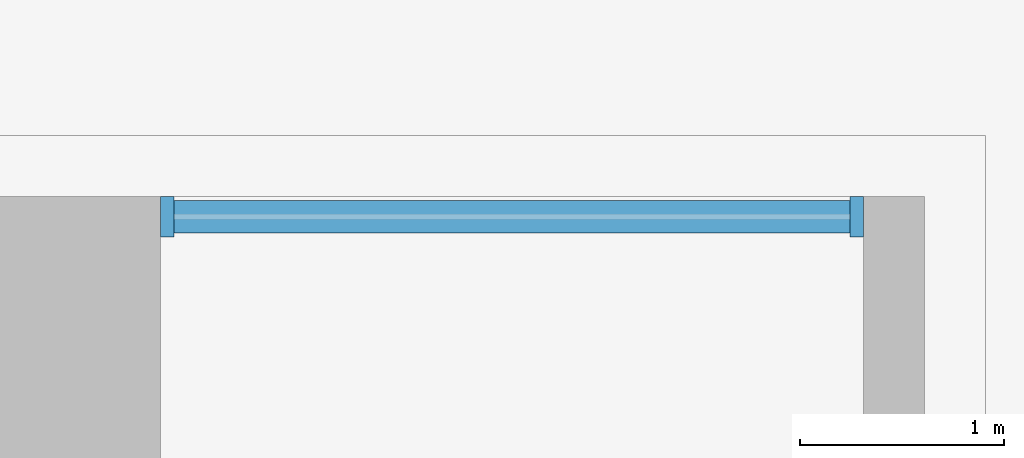
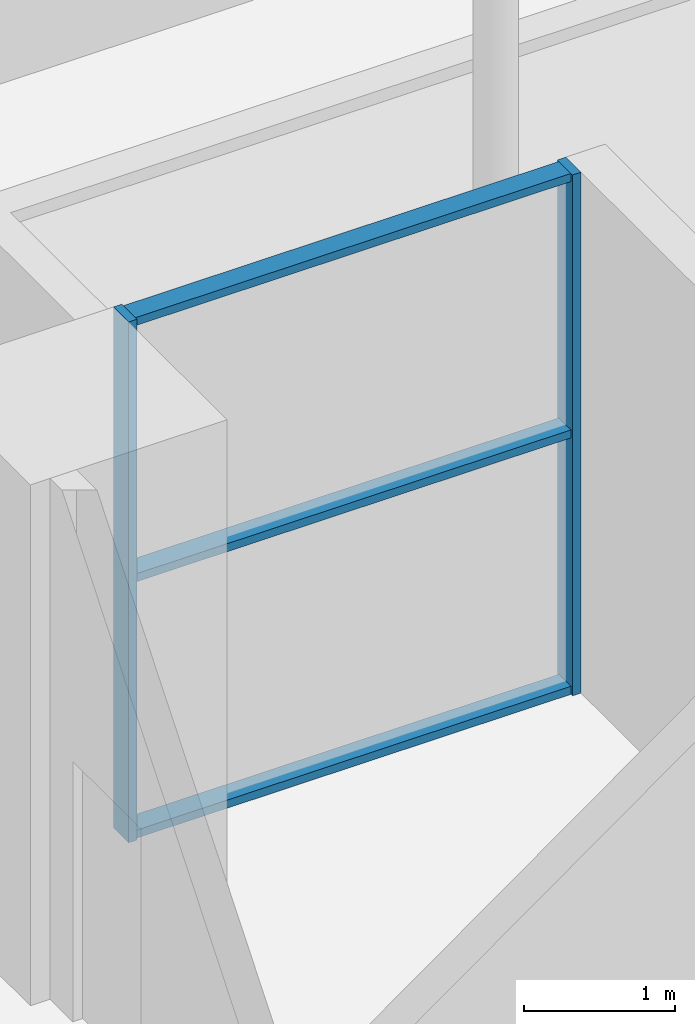
# One storey, part 7 of 18: 5 members, 1 element without a shape of its own.
"""IFC4 building model written with IfcOpenShell, lengths in metres."""

from ifc_helpers import new_model, si_unit, direction, frame, origin, origin_2d, place, context, subcontext, project, spatial, rectangle, extrude, material, material_profile, profile_set, type_object, element, aggregate, save


model = new_model("IFC4")

# Units and contexts
model_context = context("Model", 3, precision=1e-05, world=origin(), true_north=direction((0.0, 1.0)))
body_context = subcontext(model_context, "Body", "Model", "MODEL_VIEW")
ifc_project = project(units=[si_unit("LENGTHUNIT", "METRE"), si_unit("AREAUNIT", "SQUARE_METRE"), si_unit("VOLUMEUNIT", "CUBIC_METRE"), si_unit("PLANEANGLEUNIT", "RADIAN"), si_unit("MASSUNIT", "GRAM", prefix="KILO")], contexts=[model_context])

# Site, building, storey
site_placement = place(None, origin())
site = spatial("IfcSite", under=ifc_project, at=site_placement, CompositionType="ELEMENT")
building_placement = place(site_placement, origin())
building = spatial("IfcBuilding", under=site, at=building_placement, Name="Orbiselva Terraces", CompositionType="ELEMENT")
storey_placement = place(building_placement, frame((0.0, 0.0, 10.5)))
storey = spatial("IfcBuildingStorey", under=building, at=storey_placement, Name="L02", CompositionType="ELEMENT", Elevation=10.5)

# Curtain wall, members
ifc_material_1 = material(Name="Clear low-e glazing in aluminium frame", Category="aluminium")
curtain_wall_type = type_object("IfcCurtainWallType", Name="ENV-CW-PAVILION", PredefinedType="NOTDEFINED", material=ifc_material_1)
curtain_wall_placement = place(storey_placement, origin())
curtain_wall = element("IfcCurtainWall", 1, at=curtain_wall_placement, inside=storey, type_object=curtain_wall_type, Name="Curtain wall L02 NE", PredefinedType="NOTDEFINED")
ifc_material_2 = material(Name="Anodised aluminium", Category="aluminium")
ifc_material_profile_1 = material_profile(ifc_material_2, rectangle(XDim=0.2, YDim=0.065, at=origin_2d()), Name="AL 65x200")
ifc_profile_set_1 = profile_set([ifc_material_profile_1], Name="Anodised aluminium")
member_type_1 = type_object("IfcMemberType", Name="ENV-CW-PAVILION-MULLION-65x200", PredefinedType="MULLION", material=ifc_profile_set_1)
member_1_placement = place(storey_placement, frame((22.1675, 22.4, 0.0), z_axis=(0.0, 0.0, 1.0), x_axis=(0.0, -1.0, 0.0)))
member_1 = element("IfcMember", 2, at=member_1_placement, type_object=member_type_1, Name="CW2 mullion 1", PredefinedType="MULLION", context=body_context, shape_type="SweptSolid", body=[
    extrude(rectangle(XDim=0.2, YDim=0.065, at=origin_2d()), origin(), (0.0, 0.0, 1.0), 4.2),
])
member_2_placement = place(storey_placement, frame((18.7825, 22.4, 0.0), z_axis=(0.0, 0.0, 1.0), x_axis=(0.0, -1.0, 0.0)))
member_2 = element("IfcMember", 3, at=member_2_placement, type_object=member_type_1, Name="CW2 mullion 2", PredefinedType="MULLION", context=body_context, shape_type="SweptSolid", body=[
    extrude(rectangle(XDim=0.2, YDim=0.065, at=origin_2d()), origin(), (0.0, 0.0, 1.0), 4.2),
])
ifc_material_profile_2 = material_profile(ifc_material_2, rectangle(XDim=0.16, YDim=0.065, at=origin_2d()), Name="AL 65x160")
ifc_profile_set_2 = profile_set([ifc_material_profile_2], Name="Anodised aluminium")
member_type_2 = type_object("IfcMemberType", Name="ENV-CW-PAVILION-TRANSOM-65x160", PredefinedType="USERDEFINED", material=ifc_profile_set_2)
member_3_placement = place(storey_placement, frame((22.135, 22.4, 0.0325), z_axis=(-1.0, 0.0, 0.0), x_axis=(0.0, -1.0, 0.0)))
member_3 = element("IfcMember", 4, at=member_3_placement, type_object=member_type_2, Name="CW2 transom 1.1", ObjectType="TRANSOM", PredefinedType="USERDEFINED", context=body_context, shape_type="SweptSolid", body=[
    extrude(rectangle(XDim=0.16, YDim=0.065, at=origin_2d()), origin(), (0.0, 0.0, 1.0), 3.32),
])
member_4_placement = place(storey_placement, frame((22.135, 22.4, 2.1), z_axis=(-1.0, 0.0, 0.0), x_axis=(0.0, -1.0, 0.0)))
member_4 = element("IfcMember", 5, at=member_4_placement, type_object=member_type_2, Name="CW2 transom 1.2", ObjectType="TRANSOM", PredefinedType="USERDEFINED", context=body_context, shape_type="SweptSolid", body=[
    extrude(rectangle(XDim=0.16, YDim=0.065, at=origin_2d()), origin(), (0.0, 0.0, 1.0), 3.32),
])
member_5_placement = place(storey_placement, frame((22.135, 22.4, 4.1675), z_axis=(-1.0, 0.0, 0.0), x_axis=(0.0, -1.0, 0.0)))
member_5 = element("IfcMember", 6, at=member_5_placement, type_object=member_type_2, Name="CW2 transom 1.3", ObjectType="TRANSOM", PredefinedType="USERDEFINED", context=body_context, shape_type="SweptSolid", body=[
    extrude(rectangle(XDim=0.16, YDim=0.065, at=origin_2d()), origin(), (0.0, 0.0, 1.0), 3.32),
])
aggregate(curtain_wall, [member_1, member_2, member_3, member_4, member_5])

save(model, "model.ifc")
